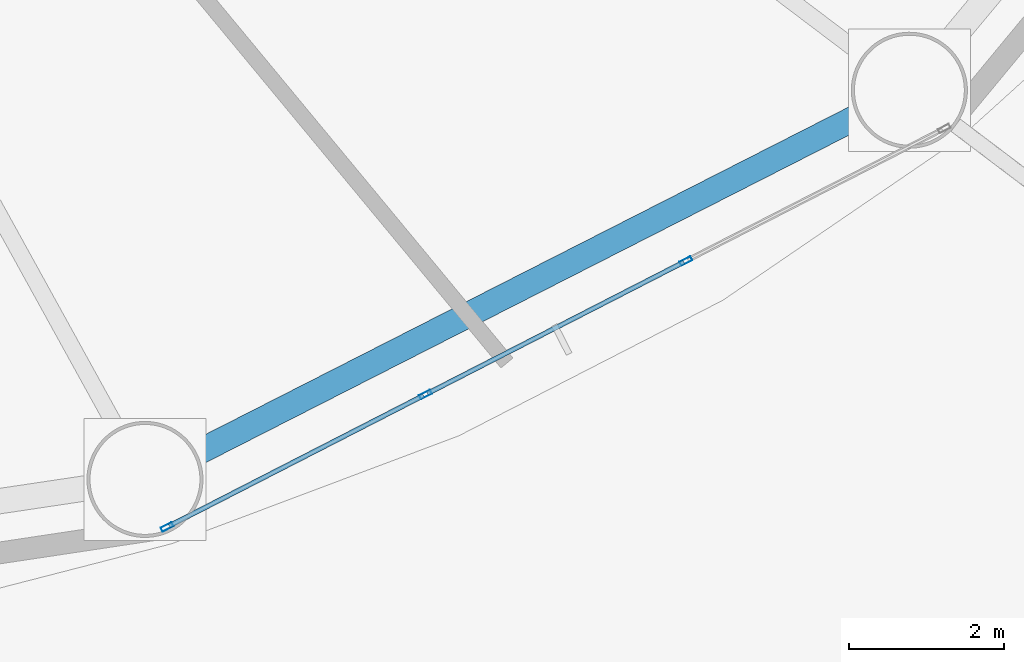
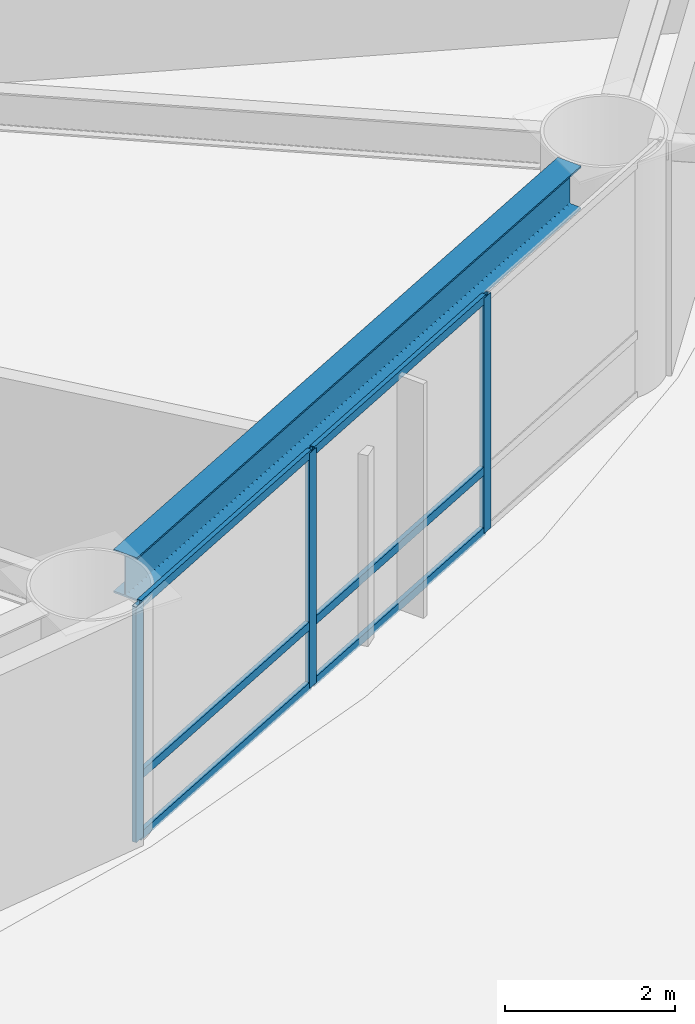
# One storey, part 6 of 30: 9 members, 1 beam, 1 element without a shape of its own.
"""IFC4 building model written with IfcOpenShell, lengths in metres."""

from ifc_helpers import new_model, si_unit, direction, frame, origin, origin_2d, place, context, subcontext, project, spatial, hollow_rectangle, i_section, extrude, material, layer, layer_set, material_profile, profile_set, type_object, element, aggregate, save


model = new_model("IFC4")

# Units and contexts
model_context = context("Model", 3, precision=1e-05, world=origin(), true_north=direction((0.0, 1.0)))
body_context = subcontext(model_context, "Body", "Model", "MODEL_VIEW")
ifc_project = project(units=[si_unit("LENGTHUNIT", "METRE"), si_unit("AREAUNIT", "SQUARE_METRE"), si_unit("VOLUMEUNIT", "CUBIC_METRE"), si_unit("PLANEANGLEUNIT", "RADIAN"), si_unit("MASSUNIT", "GRAM", prefix="KILO")], contexts=[model_context])

# Site, building, storey
site_placement = place(None, origin())
site = spatial("IfcSite", under=ifc_project, at=site_placement, CompositionType="ELEMENT")
building_placement = place(site_placement, origin())
building = spatial("IfcBuilding", under=site, at=building_placement, Name="Sarneth Arch Tower", CompositionType="ELEMENT")
storey_placement = place(building_placement, frame((0.0, 0.0, 28.199951171875)))
storey = spatial("IfcBuildingStorey", under=building, at=storey_placement, Name="L05", CompositionType="ELEMENT", Elevation=28.199951171875)

# Beam
ifc_material_1 = material(Name="Steel S355", Category="steel")
ifc_material_profile_1 = material_profile(ifc_material_1, i_section(OverallWidth=0.326904296875, OverallDepth=0.6220703125, WebThickness=0.015380859375, FlangeThickness=0.0244140625, FilletRadius=0.01904296875, at=origin_2d()), Name="W610x195")
ifc_profile_set_1 = profile_set([ifc_material_profile_1], Name="Steel S355")
beam_type = type_object("IfcBeamType", Name="BM-SPAN-610A", PredefinedType="SPANDREL", material=ifc_profile_set_1)
beam_placement = place(storey_placement, frame((60.486083984375, 20.90625, 3.069091796875), z_axis=(0.891169106887, 0.453671271882, 0.0), x_axis=(-0.453671271882, 0.891169106887, 0.0)))
element("IfcBeam", 1, at=beam_placement, inside=storey, type_object=beam_type, Name="L05 Perimeter spandrel beam 14", PredefinedType="SPANDREL", context=body_context, shape_type="SweptSolid", body=[
    extrude(i_section(OverallWidth=0.326904296875, OverallDepth=0.6220703125, WebThickness=0.015380859375, FlangeThickness=0.0244140625, FilletRadius=0.01904296875, at=origin_2d()), origin(), (0.0, 0.0, 1.0), 9.58544921875),
])

# Curtain wall, members
ifc_material_2 = material(Name="Anodised aluminium Type AA25 and solar-control low-e laminated IGU", Category="aluminium")
ifc_layer = layer(ifc_material_2, 0.159912109375)
ifc_layer_set = layer_set([ifc_layer], Name="Anodised aluminium Type AA25 and solar-control low-e laminated IGU")
curtain_wall_type = type_object("IfcCurtainWallType", Name="CW-HOTEL-LOW", PredefinedType="NOTDEFINED", material=ifc_layer_set)
curtain_wall_placement = place(storey_placement, origin())
curtain_wall = element("IfcCurtainWall", 2, at=curtain_wall_placement, inside=storey, type_object=curtain_wall_type, Name="L05 Unitised curtain wall facet 14", PredefinedType="NOTDEFINED")
ifc_material_3 = material(Name="Anodised Aluminium 6063-T6", Category="aluminium")
ifc_material_profile_2 = material_profile(ifc_material_3, hollow_rectangle(XDim=0.06005859375, YDim=0.159912109375, WallThickness=0.00390625, at=origin_2d()), Name="AL-MULL-160x60x4")
ifc_profile_set_2 = profile_set([ifc_material_profile_2], Name="Anodised Aluminium 6063-T6")
member_type_1 = type_object("IfcMemberType", Name="CW-MULLION", PredefinedType="MULLION", material=ifc_profile_set_2)
member_1_placement = place(storey_placement, frame((60.1044921875, 19.951416015625, 0.0), z_axis=(0.0, 0.0, 1.0), x_axis=(-0.456245197127, 0.889854100456, 0.0)))
member_1 = element("IfcMember", 3, at=member_1_placement, type_object=member_type_1, Name="CW-SYS-3 mullion 1", PredefinedType="MULLION", context=body_context, shape_type="SweptSolid", body=[
    extrude(hollow_rectangle(XDim=0.06005859375, YDim=0.159912109375, WallThickness=0.00390625, at=origin_2d()), origin(), (0.0, 0.0, 1.0), 3.380126953125),
])
member_2_placement = place(storey_placement, frame((63.443359375, 21.663330078125, 0.0), z_axis=(0.0, 0.0, 1.0), x_axis=(-0.456245197127, 0.889854100456, 0.0)))
member_2 = element("IfcMember", 4, at=member_2_placement, type_object=member_type_1, Name="CW-SYS-3 mullion 2", PredefinedType="MULLION", context=body_context, shape_type="SweptSolid", body=[
    extrude(hollow_rectangle(XDim=0.06005859375, YDim=0.159912109375, WallThickness=0.00390625, at=origin_2d()), origin(), (0.0, 0.0, 1.0), 3.380126953125),
])
member_3_placement = place(storey_placement, frame((66.80859375, 23.388671875, 0.0), z_axis=(0.0, 0.0, 1.0), x_axis=(-0.456245197127, 0.889854100456, 0.0)))
member_3 = element("IfcMember", 5, at=member_3_placement, type_object=member_type_1, Name="CW-SYS-3 mullion 3", PredefinedType="MULLION", context=body_context, shape_type="SweptSolid", body=[
    extrude(hollow_rectangle(XDim=0.06005859375, YDim=0.159912109375, WallThickness=0.00390625, at=origin_2d()), origin(), (0.0, 0.0, 1.0), 3.380126953125),
])
ifc_material_4 = material(Name="Anodised Aluminium 6063-T6", Category="aluminium")
ifc_material_profile_3 = material_profile(ifc_material_4, hollow_rectangle(XDim=0.06005859375, YDim=0.1201171875, WallThickness=0.00390625, at=origin_2d()), Name="AL-TRAN-120x60x4")
ifc_profile_set_3 = profile_set([ifc_material_profile_3], Name="Anodised Aluminium 6063-T6")
member_type_2 = type_object("IfcMemberType", Name="CW-TRANSOM", PredefinedType="USERDEFINED", material=ifc_profile_set_3)
member_4_placement = place(storey_placement, frame((60.13134765625, 19.965087890625, 0.030029296875), z_axis=(0.889831232102, 0.456289796485, 0.0), x_axis=(-0.456289796485, 0.889831232102, 0.0)))
member_4 = element("IfcMember", 6, at=member_4_placement, type_object=member_type_2, Name="CW-SYS-3 transom 1.1", ObjectType="TRANSOM", PredefinedType="USERDEFINED", context=body_context, shape_type="SweptSolid", body=[
    extrude(hollow_rectangle(XDim=0.06005859375, YDim=0.1201171875, WallThickness=0.00390625, at=origin_2d()), origin(), (0.0, 0.0, 1.0), 3.69189453125),
])
member_5_placement = place(storey_placement, frame((60.13134765625, 19.965087890625, 0.900146484375), z_axis=(0.889831232102, 0.456289796485, 0.0), x_axis=(-0.456289796485, 0.889831232102, 0.0)))
member_5 = element("IfcMember", 7, at=member_5_placement, type_object=member_type_2, Name="CW-SYS-3 transom 1.2", ObjectType="TRANSOM", PredefinedType="USERDEFINED", context=body_context, shape_type="SweptSolid", body=[
    extrude(hollow_rectangle(XDim=0.06005859375, YDim=0.1201171875, WallThickness=0.00390625, at=origin_2d()), origin(), (0.0, 0.0, 1.0), 3.69189453125),
])
member_6_placement = place(storey_placement, frame((60.13134765625, 19.965087890625, 3.35009765625), z_axis=(0.889831232102, 0.456289796485, 0.0), x_axis=(-0.456289796485, 0.889831232102, 0.0)))
member_6 = element("IfcMember", 8, at=member_6_placement, type_object=member_type_2, Name="CW-SYS-3 transom 1.3", ObjectType="TRANSOM", PredefinedType="USERDEFINED", context=body_context, shape_type="SweptSolid", body=[
    extrude(hollow_rectangle(XDim=0.06005859375, YDim=0.1201171875, WallThickness=0.00390625, at=origin_2d()), origin(), (0.0, 0.0, 1.0), 3.69189453125),
])
member_7_placement = place(storey_placement, frame((63.469970703125, 21.677001953125, 0.030029296875), z_axis=(0.889868677022, 0.456216766083, 0.0), x_axis=(-0.456216766083, 0.889868677022, 0.0)))
member_7 = element("IfcMember", 9, at=member_7_placement, type_object=member_type_2, Name="CW-SYS-3 transom 2.1", ObjectType="TRANSOM", PredefinedType="USERDEFINED", context=body_context, shape_type="SweptSolid", body=[
    extrude(hollow_rectangle(XDim=0.06005859375, YDim=0.1201171875, WallThickness=0.00390625, at=origin_2d()), origin(), (0.0, 0.0, 1.0), 3.721923828125),
])
member_8_placement = place(storey_placement, frame((63.469970703125, 21.677001953125, 0.900146484375), z_axis=(0.889868677022, 0.456216766083, 0.0), x_axis=(-0.456216766083, 0.889868677022, 0.0)))
member_8 = element("IfcMember", 10, at=member_8_placement, type_object=member_type_2, Name="CW-SYS-3 transom 2.2", ObjectType="TRANSOM", PredefinedType="USERDEFINED", context=body_context, shape_type="SweptSolid", body=[
    extrude(hollow_rectangle(XDim=0.06005859375, YDim=0.1201171875, WallThickness=0.00390625, at=origin_2d()), origin(), (0.0, 0.0, 1.0), 3.721923828125),
])
member_9_placement = place(storey_placement, frame((63.469970703125, 21.677001953125, 3.35009765625), z_axis=(0.889868677022, 0.456216766083, 0.0), x_axis=(-0.456216766083, 0.889868677022, 0.0)))
member_9 = element("IfcMember", 11, at=member_9_placement, type_object=member_type_2, Name="CW-SYS-3 transom 2.3", ObjectType="TRANSOM", PredefinedType="USERDEFINED", context=body_context, shape_type="SweptSolid", body=[
    extrude(hollow_rectangle(XDim=0.06005859375, YDim=0.1201171875, WallThickness=0.00390625, at=origin_2d()), origin(), (0.0, 0.0, 1.0), 3.721923828125),
])
aggregate(curtain_wall, [member_1, member_2, member_3, member_4, member_5, member_6, member_7, member_8, member_9])

save(model, "model.ifc")
